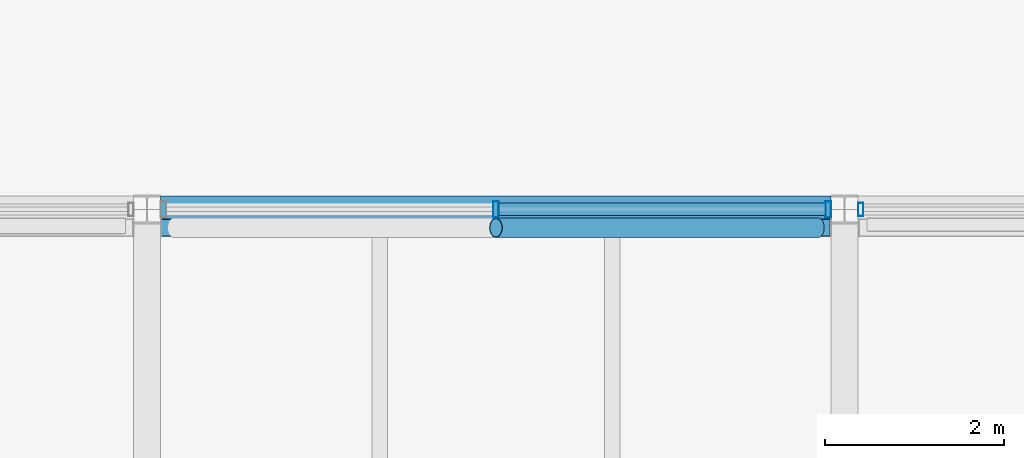
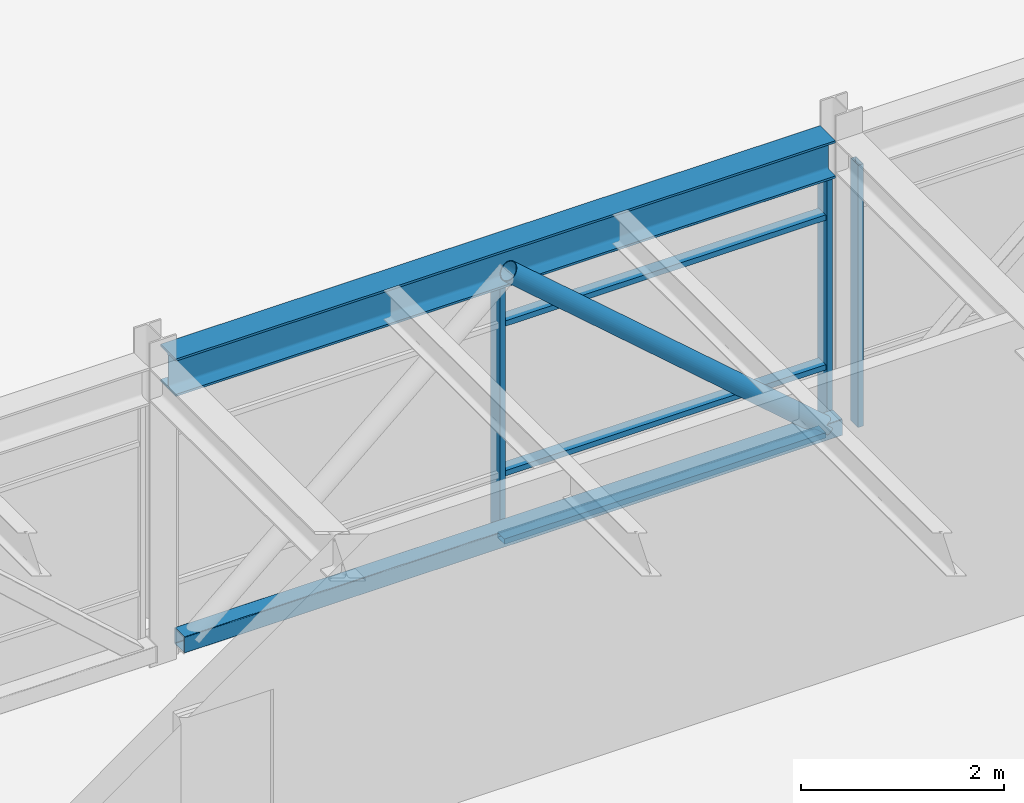
# One storey, part 14 of 72: 9 members, 1 beam, 2 elements without a shape of their own.
"""IFC4 building model written with IfcOpenShell, lengths in metres."""

from ifc_helpers import new_model, si_unit, direction, frame, origin, origin_2d, place, context, subcontext, project, spatial, hollow_rectangle, hollow_circle, i_section, extrude, material, material_profile, profile_set, type_object, element, aggregate, save


model = new_model("IFC4")

# Units and contexts
model_context = context("Model", 3, precision=1e-05, world=origin(), true_north=direction((0.0, 1.0)))
body_context = subcontext(model_context, "Body", "Model", "MODEL_VIEW")
ifc_project = project(units=[si_unit("LENGTHUNIT", "METRE"), si_unit("AREAUNIT", "SQUARE_METRE"), si_unit("VOLUMEUNIT", "CUBIC_METRE"), si_unit("PLANEANGLEUNIT", "RADIAN"), si_unit("MASSUNIT", "GRAM", prefix="KILO"), si_unit("THERMODYNAMICTEMPERATUREUNIT", "KELVIN"), si_unit("POWERUNIT", "WATT")], contexts=[model_context])

# Site, building, storey
site_placement = place(None, origin())
site = spatial("IfcSite", under=ifc_project, at=site_placement, CompositionType="ELEMENT")
building_placement = place(site_placement, origin())
building = spatial("IfcBuilding", under=site, at=building_placement, Name="Srebrne Nadtorze General Hospital", CompositionType="ELEMENT")
storey_placement = place(building_placement, frame((0.0, 0.0, 22.199951171875)))
storey = spatial("IfcBuildingStorey", under=building, at=storey_placement, Name="L05", CompositionType="ELEMENT", Elevation=22.199951171875)

# Beam
ifc_material_1 = material(Name="Steel S355J2", Category="steel")
ifc_material_profile_1 = material_profile(ifc_material_1, i_section(OverallWidth=0.300048828125, OverallDepth=0.449951171875, WebThickness=0.013916015625, FlangeThickness=0.02587890625, FilletRadius=0.027099609375, at=origin_2d()), Name="HEB-450")
ifc_profile_set_1 = profile_set([ifc_material_profile_1], Name="Steel S355J2")
beam_type = type_object("IfcBeamType", Name="Courtyard bridge girder HEB 450", PredefinedType="BEAM", material=ifc_profile_set_1)
beam_placement = place(storey_placement, frame((62.550048828125, 58.800048828125, 3.375), z_axis=(1.0, 0.0, 0.0), x_axis=(0.0, 1.0, 0.0)))
element("IfcBeam", 1, at=beam_placement, inside=storey, type_object=beam_type, Name="Beam BM-L05-X-1035", PredefinedType="BEAM", context=body_context, shape_type="SweptSolid", body=[
    extrude(i_section(OverallWidth=0.300048828125, OverallDepth=0.449951171875, WebThickness=0.013916015625, FlangeThickness=0.02587890625, FilletRadius=0.027099609375, at=origin_2d()), origin(), (0.0, 0.0, 1.0), 7.5),
])

# Curtain wall, member
ifc_material_2 = material(Name="Anodised Aluminium", Category="aluminium")
curtain_wall_type = type_object("IfcCurtainWallType", Name="Bridge curtain wall 7500x3150", PredefinedType="NOTDEFINED", material=ifc_material_2)
curtain_wall_1_placement = place(storey_placement, origin())
curtain_wall_1 = element("IfcCurtainWall", 2, at=curtain_wall_1_placement, inside=storey, type_object=curtain_wall_type, Name="Curtain wall CW-126", PredefinedType="NOTDEFINED")
ifc_material_3 = material(Name="Anodised Aluminium", Category="aluminium")
ifc_material_profile_2 = material_profile(ifc_material_3, hollow_rectangle(XDim=0.06005859375, YDim=0.14990234375, WallThickness=0.00390625, at=origin_2d()), Name="AL-MUL-60x150")
ifc_profile_set_2 = profile_set([ifc_material_profile_2], Name="Anodised Aluminium")
member_type_1 = type_object("IfcMemberType", Name="Curtain mullion 60x150", PredefinedType="MULLION", material=ifc_profile_set_2)
member_1_placement = place(storey_placement, frame((70.3798828125, 58.800048828125, 0.0), z_axis=(0.0, 0.0, 1.0), x_axis=(1.0, 0.0, 0.0)))
member_1 = element("IfcMember", 3, at=member_1_placement, type_object=member_type_1, Name="CW-126 mullion 1", PredefinedType="MULLION", context=body_context, shape_type="SweptSolid", body=[
    extrude(hollow_rectangle(XDim=0.06005859375, YDim=0.14990234375, WallThickness=0.00390625, at=origin_2d()), origin(), (0.0, 0.0, 1.0), 3.150146484375),
])
aggregate(curtain_wall_1, [member_1])

# Curtain wall, members
curtain_wall_2_placement = place(storey_placement, origin())
curtain_wall_2 = element("IfcCurtainWall", 4, at=curtain_wall_2_placement, inside=storey, type_object=curtain_wall_type, Name="Curtain wall CW-125", PredefinedType="NOTDEFINED")
ifc_material_4 = material(Name="Anodised Aluminium", Category="aluminium")
ifc_material_profile_3 = material_profile(ifc_material_4, hollow_rectangle(XDim=0.06494140625, YDim=0.179931640625, WallThickness=0.00390625, at=origin_2d()), Name="AL-MUL-65x180")
ifc_profile_set_3 = profile_set([ifc_material_profile_3], Name="Anodised Aluminium")
member_type_2 = type_object("IfcMemberType", Name="Curtain mullion 65x180", PredefinedType="MULLION", material=ifc_profile_set_3)
member_2_placement = place(storey_placement, frame((66.300048828125, 58.800048828125, 0.0), z_axis=(0.0, 0.0, 1.0), x_axis=(1.0, 0.0, 0.0)))
member_2 = element("IfcMember", 5, at=member_2_placement, type_object=member_type_2, Name="CW-125 mullion 2", PredefinedType="MULLION", context=body_context, shape_type="SweptSolid", body=[
    extrude(hollow_rectangle(XDim=0.06494140625, YDim=0.179931640625, WallThickness=0.00390625, at=origin_2d()), origin(), (0.0, 0.0, 1.0), 3.150146484375),
])
member_3_placement = place(storey_placement, frame((70.017578125, 58.800048828125, 0.0), z_axis=(0.0, 0.0, 1.0), x_axis=(1.0, 0.0, 0.0)))
member_3 = element("IfcMember", 6, at=member_3_placement, type_object=member_type_2, Name="CW-125 mullion 3", PredefinedType="MULLION", context=body_context, shape_type="SweptSolid", body=[
    extrude(hollow_rectangle(XDim=0.06494140625, YDim=0.179931640625, WallThickness=0.00390625, at=origin_2d()), origin(), (0.0, 0.0, 1.0), 3.150146484375),
])
ifc_material_5 = material(Name="Anodised Aluminium", Category="aluminium")
ifc_material_profile_4 = material_profile(ifc_material_5, hollow_rectangle(XDim=0.06494140625, YDim=0.139892578125, WallThickness=0.00390625, at=origin_2d()), Name="AL-TRN-65x140")
ifc_profile_set_4 = profile_set([ifc_material_profile_4], Name="Anodised Aluminium")
member_type_3 = type_object("IfcMemberType", Name="Curtain transom 65x140", PredefinedType="USERDEFINED", material=ifc_profile_set_4)
member_4_placement = place(storey_placement, frame((66.33251953125, 58.800048828125, 0.032470703125), z_axis=(1.0, 0.0, 0.0), x_axis=(0.0, 0.0, 1.0)))
member_4 = element("IfcMember", 7, at=member_4_placement, type_object=member_type_3, Name="CW-125 transom 2.1", ObjectType="TRANSOM", PredefinedType="USERDEFINED", context=body_context, shape_type="SweptSolid", body=[
    extrude(hollow_rectangle(XDim=0.06494140625, YDim=0.139892578125, WallThickness=0.00390625, at=origin_2d()), origin(), (0.0, 0.0, 1.0), 3.652587890625),
])
member_5_placement = place(storey_placement, frame((66.33251953125, 58.800048828125, 0.85009765625), z_axis=(1.0, 0.0, 0.0), x_axis=(0.0, 0.0, 1.0)))
member_5 = element("IfcMember", 8, at=member_5_placement, type_object=member_type_3, Name="CW-125 transom 2.2", ObjectType="TRANSOM", PredefinedType="USERDEFINED", context=body_context, shape_type="SweptSolid", body=[
    extrude(hollow_rectangle(XDim=0.06494140625, YDim=0.139892578125, WallThickness=0.00390625, at=origin_2d()), origin(), (0.0, 0.0, 1.0), 3.652587890625),
])
member_6_placement = place(storey_placement, frame((66.33251953125, 58.800048828125, 2.650146484375), z_axis=(1.0, 0.0, 0.0), x_axis=(0.0, 0.0, 1.0)))
member_6 = element("IfcMember", 9, at=member_6_placement, type_object=member_type_3, Name="CW-125 transom 2.3", ObjectType="TRANSOM", PredefinedType="USERDEFINED", context=body_context, shape_type="SweptSolid", body=[
    extrude(hollow_rectangle(XDim=0.06494140625, YDim=0.139892578125, WallThickness=0.00390625, at=origin_2d()), origin(), (0.0, 0.0, 1.0), 3.652587890625),
])
member_7_placement = place(storey_placement, frame((66.33251953125, 58.800048828125, 3.117431640625), z_axis=(1.0, 0.0, 0.0), x_axis=(0.0, 0.0, 1.0)))
member_7 = element("IfcMember", 10, at=member_7_placement, type_object=member_type_3, Name="CW-125 transom 2.4", ObjectType="TRANSOM", PredefinedType="USERDEFINED", context=body_context, shape_type="SweptSolid", body=[
    extrude(hollow_rectangle(XDim=0.06494140625, YDim=0.139892578125, WallThickness=0.00390625, at=origin_2d()), origin(), (0.0, 0.0, 1.0), 3.652587890625),
])
aggregate(curtain_wall_2, [member_2, member_3, member_4, member_5, member_6, member_7])

# Members
ifc_material_6 = material(Name="Steel S355J2", Category="steel")
ifc_material_profile_5 = material_profile(ifc_material_6, hollow_circle(Radius=0.109619140625, WallThickness=0.008056640625, at=origin_2d()), Name="CHS-219.1x8")
ifc_profile_set_5 = profile_set([ifc_material_profile_5], Name="Steel S355J2")
member_type_4 = type_object("IfcMemberType", Name="Diagonal brace CHS 219.1x8", PredefinedType="BRACE", material=ifc_profile_set_5)
member_8_placement = place(storey_placement, frame((69.89990234375, 58.595458984375, 0.25), z_axis=(-0.754624252348, 0.0, 0.656157174592), x_axis=(0.0, -1.0, 0.0)))
element("IfcMember", 11, at=member_8_placement, inside=storey, type_object=member_type_4, Name="Clinical courtyard bridge brace 16", PredefinedType="BRACE", context=body_context, shape_type="SweptSolid", body=[
    extrude(hollow_circle(Radius=0.109619140625, WallThickness=0.008056640625, at=origin_2d()), origin(), (0.0, 0.0, 1.0), 4.7705078125),
])
ifc_material_7 = material(Name="Steel S355J2", Category="steel")
ifc_material_profile_6 = material_profile(ifc_material_7, hollow_rectangle(XDim=0.199951171875, YDim=0.199951171875, WallThickness=0.010009765625, InnerFilletRadius=0.010009765625, OuterFilletRadius=0.014892578125, at=origin_2d()), Name="SHS-200x200x10")
ifc_profile_set_6 = profile_set([ifc_material_profile_6], Name="Steel S355J2")
member_type_5 = type_object("IfcMemberType", Name="Truss chord SHS 200x200x10", PredefinedType="CHORD", material=ifc_profile_set_6)
member_9_placement = place(storey_placement, frame((62.56201171875, 58.594970703125, 0.25), z_axis=(1.0, 0.0, 0.0), x_axis=(0.0, 1.0, 0.0)))
element("IfcMember", 12, at=member_9_placement, inside=storey, type_object=member_type_5, Name="Clinical courtyard bridge truss chord 8", PredefinedType="CHORD", context=body_context, shape_type="SweptSolid", body=[
    extrude(hollow_rectangle(XDim=0.199951171875, YDim=0.199951171875, WallThickness=0.010009765625, InnerFilletRadius=0.010009765625, OuterFilletRadius=0.014892578125, at=origin_2d()), origin(), (0.0, 0.0, 1.0), 7.47607421875),
])

save(model, "model.ifc")
